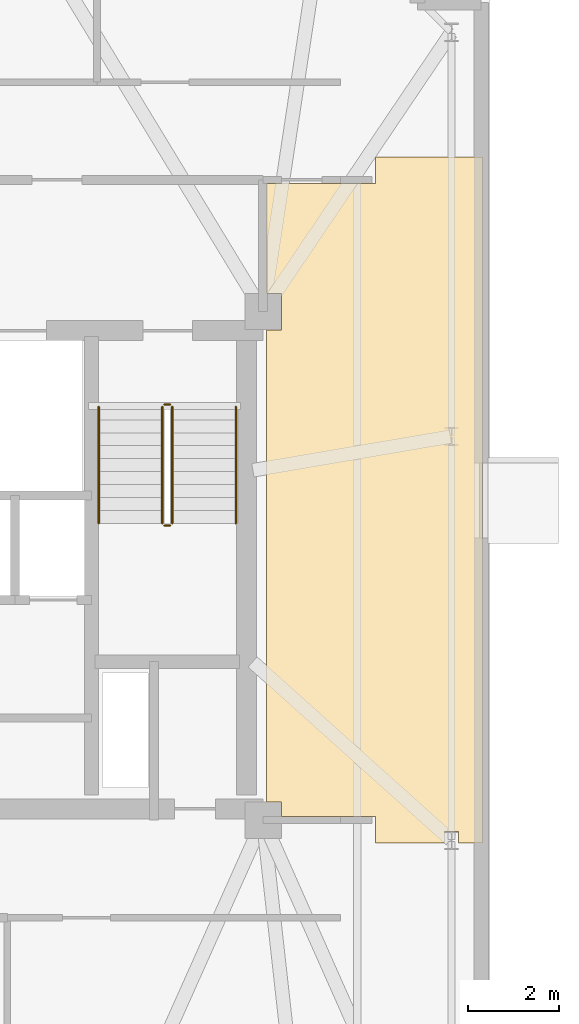
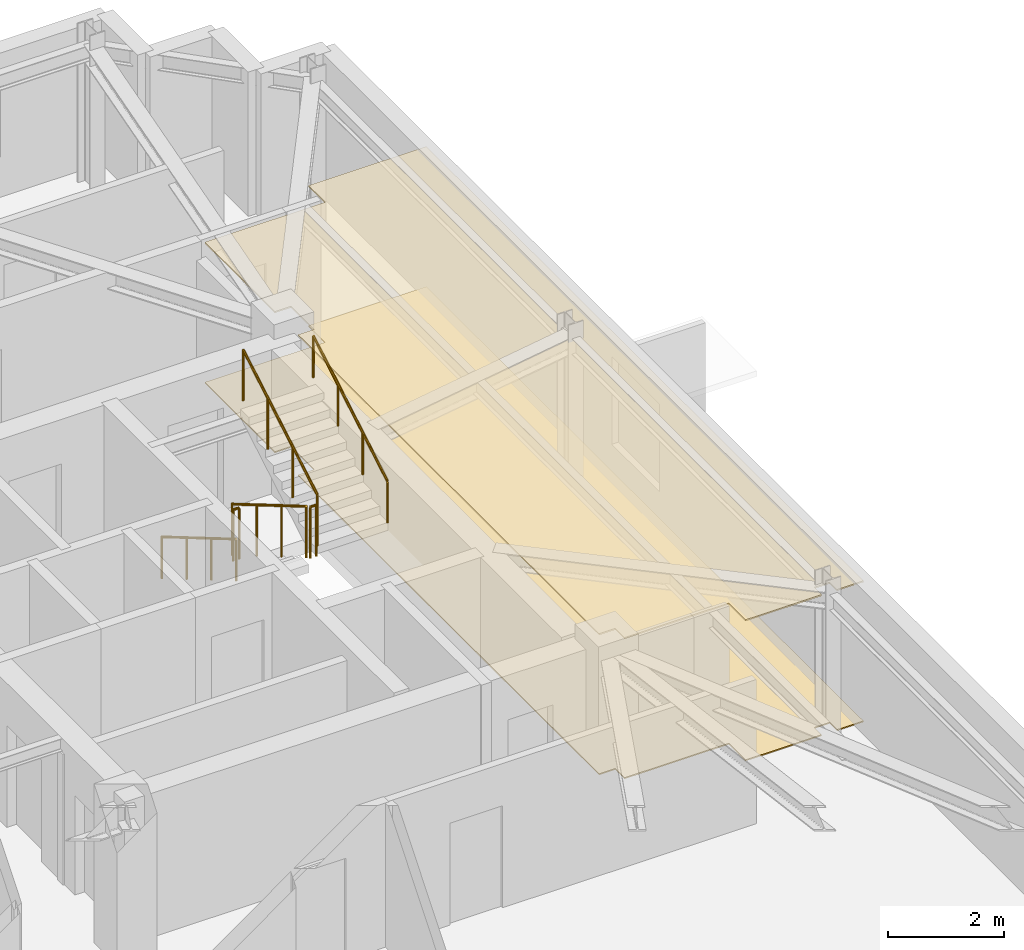
# One storey, part 11 of 12: 6 railings, 2 coverings.
"""IFC4 building model written with IfcOpenShell, lengths in metres."""

from ifc_helpers import new_model, si_unit, direction, frame, origin, origin_2d, place, context, subcontext, project, spatial, polyline, circle, outline, extrude, material, layer, layer_set, type_object, element, save


model = new_model("IFC4")

# Units and contexts
model_context = context("Model", 3, precision=1e-05, world=origin(), true_north=direction((0.0, 1.0)))
body_context = subcontext(model_context, "Body", "Model", "MODEL_VIEW")
ifc_project = project(units=[si_unit("LENGTHUNIT", "METRE"), si_unit("AREAUNIT", "SQUARE_METRE"), si_unit("VOLUMEUNIT", "CUBIC_METRE"), si_unit("PLANEANGLEUNIT", "RADIAN"), si_unit("MASSUNIT", "GRAM", prefix="KILO")], contexts=[model_context])

# Site, building, storey
site_placement = place(None, origin())
site = spatial("IfcSite", under=ifc_project, at=site_placement, CompositionType="ELEMENT")
building_placement = place(site_placement, origin())
building = spatial("IfcBuilding", under=site, at=building_placement, Name="Qobustan Lattice House", CompositionType="ELEMENT")
storey_placement = place(building_placement, frame((0.0, 0.0, 241.699951171875)))
storey = spatial("IfcBuildingStorey", under=building, at=storey_placement, Name="L68", CompositionType="ELEMENT", Elevation=241.699951171875)

# Coverings
ifc_material_1 = material(Name="Perforated gypsum acoustic ceiling", Category="gypsum")
ifc_layer_1 = layer(ifc_material_1, 0.030029296875)
ifc_layer_set_1 = layer_set([ifc_layer_1], Name="Perforated gypsum acoustic ceiling")
covering_type_1 = type_object("IfcCoveringType", Name="COV-ACOUSTIC-CEIL", PredefinedType="CEILING", material=ifc_layer_set_1)
covering_1_placement = place(storey_placement, frame((0.0, 0.0, 2.949951171875)))
element("IfcCovering", 1, at=covering_1_placement, inside=storey, type_object=covering_type_1, Name="L68 Communal study lounge acoustic ceiling", PredefinedType="CEILING", context=body_context, shape_type="SweptSolid", body=[
    extrude(outline(polyline([(21.280029296875, -5.52001953125), (21.280029296875, -6.10009765625), (22.798095703125, -6.10009765625), (22.798095703125, -5.847900390625), (23.10205078125, -5.847900390625), (23.10205078125, -6.10009765625), (23.6298828125, -6.10009765625), (23.6298828125, 9.0), (21.280029296875, 9.0), (21.280029296875, 8.419921875), (18.8798828125, 8.419921875), (18.8798828125, 6.001953125), (19.201904296875, 6.001953125), (19.201904296875, 5.197998046875), (18.8798828125, 5.197998046875), (18.8798828125, -5.197998046875), (19.201904296875, -5.197998046875), (19.201904296875, -5.52001953125), (21.280029296875, -5.52001953125)])), origin(), (0.0, 0.0, 1.0), 0.030029296875),
])
ifc_material_2 = material(Name="Honed Absheron stone terrazzo flooring", Category="masonry")
ifc_layer_2 = layer(ifc_material_2, 0.02490234375)
ifc_layer_set_2 = layer_set([ifc_layer_2], Name="Honed Absheron stone terrazzo flooring")
covering_type_2 = type_object("IfcCoveringType", Name="COV-TERRAZZO-FLR", PredefinedType="FLOORING", material=ifc_layer_set_2)
covering_2_placement = place(storey_placement, origin())
element("IfcCovering", 2, at=covering_2_placement, inside=storey, type_object=covering_type_2, Name="L68 Communal study lounge stone terrazzo flooring", PredefinedType="FLOORING", context=body_context, shape_type="SweptSolid", body=[
    extrude(outline(polyline([(21.280029296875, -5.52001953125), (21.280029296875, -6.10009765625), (22.798095703125, -6.10009765625), (22.798095703125, -5.847900390625), (23.10205078125, -5.847900390625), (23.10205078125, -6.10009765625), (23.6298828125, -6.10009765625), (23.6298828125, 9.0), (21.280029296875, 9.0), (21.280029296875, 8.419921875), (18.8798828125, 8.419921875), (18.8798828125, 6.001953125), (19.201904296875, 6.001953125), (19.201904296875, 5.197998046875), (18.8798828125, 5.197998046875), (18.8798828125, -5.197998046875), (19.201904296875, -5.197998046875), (19.201904296875, -5.52001953125), (21.280029296875, -5.52001953125)])), origin(), (0.0, 0.0, 1.0), 0.025146484375),
])

# Railings
ifc_material_3 = material(Name="Brushed stainless steel handrail", Category="steel")
railing_type_1 = type_object("IfcRailingType", Name="RAL-HR-920", PredefinedType="HANDRAIL", material=ifc_material_3)
railing_1_placement = place(storey_placement, frame((15.179931640625, 3.5, 0.16748046875)))
element("IfcRailing", 3, at=railing_1_placement, inside=storey, type_object=railing_type_1, Name="L68 ST-E1 stair handrail 1", PredefinedType="HANDRAIL", context=body_context, shape_type="SweptSolid", body=[
    extrude(circle(Radius=0.02392578125, at=origin_2d()), frame((0.0, 0.0, 0.8759765625), z_axis=(0.0, -0.862113467892, 0.50671527358), x_axis=(1.0, 0.0, 0.0)), (0.0, 0.0, 1.0), 2.97509765625),
    extrude(circle(Radius=0.02099609375, at=origin_2d()), origin(), (0.0, 0.0, 1.0), 0.851806640625),
    extrude(circle(Radius=0.02099609375, at=origin_2d()), frame((0.0, -0.85498046875, 0.50244140625)), (0.0, 0.0, 1.0), 0.851806640625),
    extrude(circle(Radius=0.02099609375, at=origin_2d()), frame((0.0, -1.7099609375, 1.005126953125)), (0.0, 0.0, 1.0), 0.851806640625),
    extrude(circle(Radius=0.02099609375, at=origin_2d()), frame((0.0, -2.56494140625, 1.507568359375)), (0.0, 0.0, 1.0), 0.851806640625),
])
railing_2_placement = place(storey_placement, frame((18.199951171875, 0.93505859375, 1.842529296875)))
element("IfcRailing", 4, at=railing_2_placement, inside=storey, type_object=railing_type_1, Name="L68 ST-E1 stair handrail 2", PredefinedType="HANDRAIL", context=body_context, shape_type="SweptSolid", body=[
    extrude(circle(Radius=0.02392578125, at=origin_2d()), frame((0.0, 0.0, 0.8759765625), z_axis=(0.0, 0.862113467892, 0.50671527358), x_axis=(-1.0, 0.0, 0.0)), (0.0, 0.0, 1.0), 2.97509765625),
    extrude(circle(Radius=0.02099609375, at=origin_2d()), origin(), (0.0, 0.0, 1.0), 0.851806640625),
    extrude(circle(Radius=0.02099609375, at=origin_2d()), frame((0.0, 0.85498046875, 0.50244140625)), (0.0, 0.0, 1.0), 0.851806640625),
    extrude(circle(Radius=0.02099609375, at=origin_2d()), frame((0.0, 1.7099609375, 1.005126953125)), (0.0, 0.0, 1.0), 0.851806640625),
    extrude(circle(Radius=0.02099609375, at=origin_2d()), frame((0.0, 2.56494140625, 1.507568359375)), (0.0, 0.0, 1.0), 0.851806640625),
])
ifc_material_4 = material(Name="Painted galvanized steel guardrail", Category="steel")
railing_type_2 = type_object("IfcRailingType", Name="RAL-STG-1150", PredefinedType="GUARDRAIL", material=ifc_material_4)
railing_3_placement = place(storey_placement, frame((16.580078125, 3.5, 0.16748046875)))
element("IfcRailing", 5, at=railing_3_placement, inside=storey, type_object=railing_type_2, Name="L68 ST-E1 stair guard 1", PredefinedType="GUARDRAIL", context=body_context, shape_type="SweptSolid", body=[
    extrude(circle(Radius=0.02392578125, at=origin_2d()), frame((0.0, 0.0, 1.076171875), z_axis=(0.0, -0.862113467892, 0.50671527358), x_axis=(1.0, 0.0, 0.0)), (0.0, 0.0, 1.0), 2.97509765625),
    extrude(circle(Radius=0.02099609375, at=origin_2d()), origin(), (0.0, 0.0, 1.0), 1.052001953125),
    extrude(circle(Radius=0.02099609375, at=origin_2d()), frame((0.0, -0.85498046875, 0.50244140625)), (0.0, 0.0, 1.0), 1.052001953125),
    extrude(circle(Radius=0.02099609375, at=origin_2d()), frame((0.0, -1.7099609375, 1.005126953125)), (0.0, 0.0, 1.0), 1.052001953125),
    extrude(circle(Radius=0.02099609375, at=origin_2d()), frame((0.0, -2.56494140625, 1.507568359375)), (0.0, 0.0, 1.0), 1.052001953125),
])
railing_4_placement = place(storey_placement, frame((16.6298828125, 0.885009765625, 1.675048828125)))
element("IfcRailing", 6, at=railing_4_placement, inside=storey, type_object=railing_type_2, Name="L68 ST-E1 stair guard 2", PredefinedType="GUARDRAIL", context=body_context, shape_type="SweptSolid", body=[
    extrude(circle(Radius=0.02392578125, at=origin_2d()), frame((0.0, 0.0, 1.076171875), z_axis=(1.0, 0.0, 0.0), x_axis=(0.0, 1.0, 0.0)), (0.0, 0.0, 1.0), 0.1201171875),
    extrude(circle(Radius=0.02099609375, at=origin_2d()), origin(), (0.0, 0.0, 1.0), 1.052001953125),
    extrude(circle(Radius=0.02099609375, at=origin_2d()), frame((0.1201171875, 0.0, 0.0)), (0.0, 0.0, 1.0), 1.052001953125),
])
railing_5_placement = place(storey_placement, frame((16.800048828125, 0.93505859375, 1.842529296875)))
element("IfcRailing", 7, at=railing_5_placement, inside=storey, type_object=railing_type_2, Name="L68 ST-E1 stair guard 3", PredefinedType="GUARDRAIL", context=body_context, shape_type="SweptSolid", body=[
    extrude(circle(Radius=0.02392578125, at=origin_2d()), frame((0.0, 0.0, 1.076171875), z_axis=(0.0, 0.862113467892, 0.50671527358), x_axis=(-1.0, 0.0, 0.0)), (0.0, 0.0, 1.0), 2.97509765625),
    extrude(circle(Radius=0.02099609375, at=origin_2d()), origin(), (0.0, 0.0, 1.0), 1.052001953125),
    extrude(circle(Radius=0.02099609375, at=origin_2d()), frame((0.0, 0.85498046875, 0.50244140625)), (0.0, 0.0, 1.0), 1.052001953125),
    extrude(circle(Radius=0.02099609375, at=origin_2d()), frame((0.0, 1.7099609375, 1.005126953125)), (0.0, 0.0, 1.0), 1.052001953125),
    extrude(circle(Radius=0.02099609375, at=origin_2d()), frame((0.0, 2.56494140625, 1.507568359375)), (0.0, 0.0, 1.0), 1.052001953125),
])
railing_6_placement = place(storey_placement, frame((16.6298828125, 3.550048828125, 0.0)))
element("IfcRailing", 8, at=railing_6_placement, inside=storey, type_object=railing_type_2, Name="L68 ST-E1 stair guard 4", PredefinedType="GUARDRAIL", context=body_context, shape_type="SweptSolid", body=[
    extrude(circle(Radius=0.02392578125, at=origin_2d()), frame((0.0, 0.0, 1.076171875), z_axis=(1.0, 0.0, 0.0), x_axis=(0.0, 1.0, 0.0)), (0.0, 0.0, 1.0), 0.1201171875),
    extrude(circle(Radius=0.02099609375, at=origin_2d()), origin(), (0.0, 0.0, 1.0), 1.052001953125),
    extrude(circle(Radius=0.02099609375, at=origin_2d()), frame((0.1201171875, 0.0, 0.0)), (0.0, 0.0, 1.0), 1.052001953125),
])

save(model, "model.ifc")
